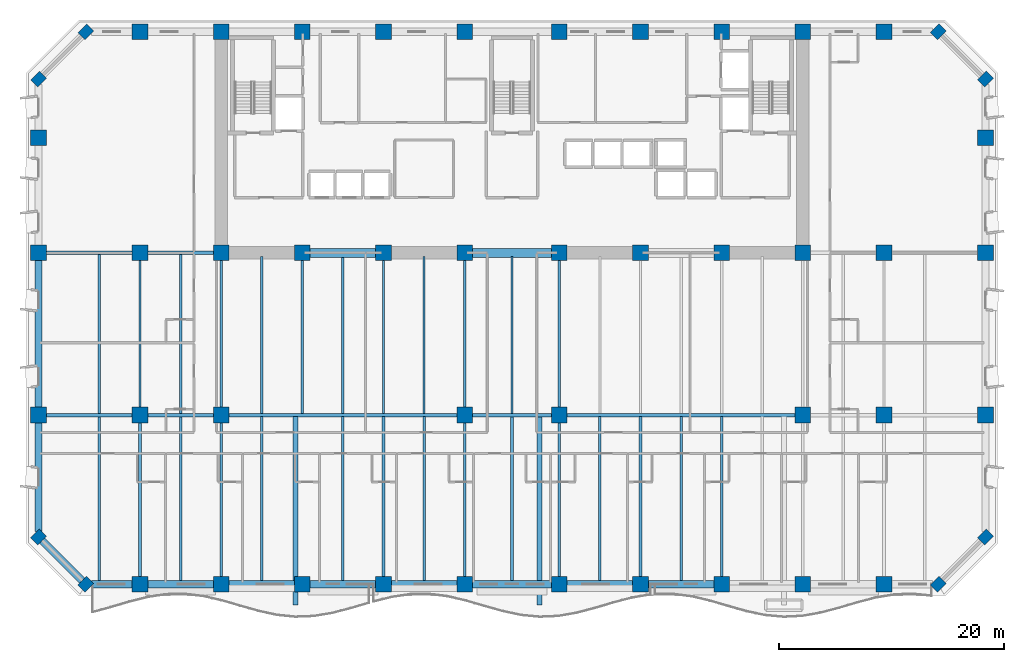
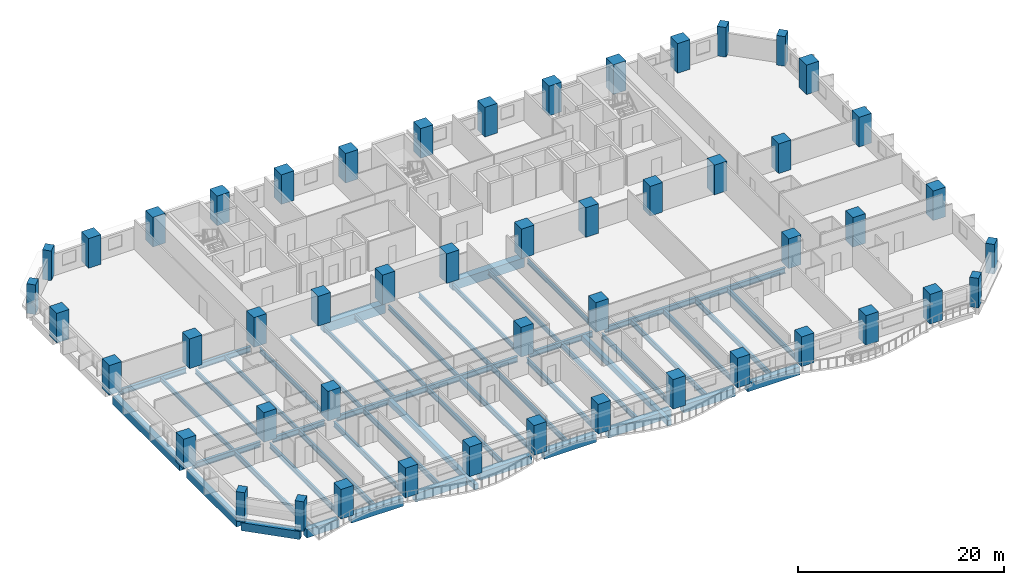
# One storey, part 1 of 15: 50 columns, 49 beams.
"""IFC4 building model written with IfcOpenShell, lengths in metres."""

from ifc_helpers import new_model, si_unit, direction, frame, origin, origin_2d, place, context, subcontext, project, spatial, rectangle, i_section, extrude, material, material_profile, profile_set, type_object, element, save


model = new_model("IFC4")

# Units and contexts
model_context = context("Model", 3, precision=1e-05, world=origin(), true_north=direction((0.0, 1.0)))
body_context = subcontext(model_context, "Body", "Model", "MODEL_VIEW")
ifc_project = project(units=[si_unit("LENGTHUNIT", "METRE"), si_unit("AREAUNIT", "SQUARE_METRE"), si_unit("VOLUMEUNIT", "CUBIC_METRE"), si_unit("PLANEANGLEUNIT", "RADIAN"), si_unit("MASSUNIT", "GRAM", prefix="KILO")], contexts=[model_context])

# Site, building, storey
site_placement = place(None, origin())
site = spatial("IfcSite", under=ifc_project, at=site_placement, CompositionType="ELEMENT")
building_placement = place(site_placement, origin())
building = spatial("IfcBuilding", under=site, at=building_placement, Name="Kaelvorn Grand Hotel", CompositionType="ELEMENT")
storey_placement = place(building_placement, frame((0.0, 0.0, 50.14990234375)))
storey = spatial("IfcBuildingStorey", under=building, at=storey_placement, Name="L10", CompositionType="ELEMENT", Elevation=50.14990234375)

# Columns
ifc_material_1 = material(Name="Concrete C80/95", Category="concrete")
ifc_material_profile_1 = material_profile(ifc_material_1, rectangle(XDim=1.10009765625, YDim=0.89990234375, at=origin_2d()), Name="RC PILASTER 1100x900")
ifc_profile_set_1 = profile_set([ifc_material_profile_1], Name="Concrete C80/95")
column_type_1 = type_object("IfcColumnType", Name="COL-PIL-1100x900-C80", PredefinedType="PILASTER", material=ifc_profile_set_1)
for number, where, z_axis, x_axis, name in (
    (1, (4.199951171875, 0.0, 0.0), (0.0, 0.0, 1.0), (0.707106781187, 0.707106781187, 0.0), "L10 Structural Column CH-01"),
    (2, (79.800048828125, 0.0, 0.0), (0.0, 0.0, 1.0), (0.707106781187, 0.707106781187, 0.0), "L10 Structural Column CH-02"),
    (3, (84.0, 4.199951171875, 0.0), (0.0, 0.0, 1.0), (0.707106781187, 0.707106781187, 0.0), "L10 Structural Column CH-03"),
    (4, (84.0, 44.800048828125, 0.0), (0.0, 0.0, 1.0), (0.707106781187, 0.707106781187, 0.0), "L10 Structural Column CH-04"),
    (5, (79.800048828125, 49.0, 0.0), (0.0, 0.0, 1.0), (0.707106781187, 0.707106781187, 0.0), "L10 Structural Column CH-05"),
    (6, (4.199951171875, 49.0, 0.0), (0.0, 0.0, 1.0), (0.707106781187, 0.707106781187, 0.0), "L10 Structural Column CH-06"),
    (7, (0.0, 44.800048828125, 0.0), (0.0, 0.0, 1.0), (0.707106781187, 0.707106781187, 0.0), "L10 Structural Column CH-07"),
    (8, (0.0, 4.199951171875, 0.0), (0.0, 0.0, 1.0), (0.707106781187, 0.707106781187, 0.0), "L10 Structural Column CH-08"),
):
    element("IfcColumn", number, at=place(storey_placement, frame(where, z_axis=z_axis, x_axis=x_axis)), inside=storey, type_object=column_type_1, Name=name, PredefinedType="PILASTER", context=body_context, shape_type="SweptSolid", body=[
        extrude(rectangle(XDim=1.10009765625, YDim=0.89990234375, at=origin_2d()), origin(), (0.0, 0.0, 1.0), 3.510009765625),
    ])
ifc_material_profile_2 = material_profile(ifc_material_1, rectangle(XDim=1.39990234375, YDim=1.39990234375, at=origin_2d()), Name="RC COL 1400x1400")
ifc_profile_set_2 = profile_set([ifc_material_profile_2], Name="Concrete C80/95")
column_type_2 = type_object("IfcColumnType", Name="COL-RC-1400-C80", PredefinedType="COLUMN", material=ifc_profile_set_2)
for number, where, z_axis, x_axis, name in (
    (9, (9.0, 0.0, 0.0), (0.0, 0.0, 1.0), (1.0, 0.0, 0.0), "L10 Structural Column S-01"),
    (10, (16.199951171875, 0.0, 0.0), (0.0, 0.0, 1.0), (1.0, 0.0, 0.0), "L10 Structural Column S-02"),
    (11, (23.39990234375, 0.0, 0.0), (0.0, 0.0, 1.0), (1.0, 0.0, 0.0), "L10 Structural Column S-03"),
    (12, (30.60009765625, 0.0, 0.0), (0.0, 0.0, 1.0), (1.0, 0.0, 0.0), "L10 Structural Column S-04"),
    (13, (37.800048828125, 0.0, 0.0), (0.0, 0.0, 1.0), (1.0, 0.0, 0.0), "L10 Structural Column S-05"),
    (14, (46.199951171875, 0.0, 0.0), (0.0, 0.0, 1.0), (1.0, 0.0, 0.0), "L10 Structural Column S-06"),
    (15, (53.39990234375, 0.0, 0.0), (0.0, 0.0, 1.0), (1.0, 0.0, 0.0), "L10 Structural Column S-07"),
    (16, (60.60009765625, 0.0, 0.0), (0.0, 0.0, 1.0), (1.0, 0.0, 0.0), "L10 Structural Column S-08"),
    (17, (67.800048828125, 0.0, 0.0), (0.0, 0.0, 1.0), (1.0, 0.0, 0.0), "L10 Structural Column S-09"),
    (18, (75.0, 0.0, 0.0), (0.0, 0.0, 1.0), (1.0, 0.0, 0.0), "L10 Structural Column S-10"),
    (19, (0.0, 15.0, 0.0), (0.0, 0.0, 1.0), (1.0, 0.0, 0.0), "L10 Structural Column W-01"),
    (20, (84.0, 15.0, 0.0), (0.0, 0.0, 1.0), (1.0, 0.0, 0.0), "L10 Structural Column E-01"),
    (21, (0.0, 29.39990234375, 0.0), (0.0, 0.0, 1.0), (1.0, 0.0, 0.0), "L10 Structural Column W-02"),
    (22, (84.0, 29.39990234375, 0.0), (0.0, 0.0, 1.0), (1.0, 0.0, 0.0), "L10 Structural Column E-02"),
    (23, (0.0, 39.60009765625, 0.0), (0.0, 0.0, 1.0), (1.0, 0.0, 0.0), "L10 Structural Column W-03"),
    (24, (84.0, 39.60009765625, 0.0), (0.0, 0.0, 1.0), (1.0, 0.0, 0.0), "L10 Structural Column E-03"),
    (25, (9.0, 15.0, 0.0), (0.0, 0.0, 1.0), (1.0, 0.0, 0.0), "L10 Structural Column M-01"),
    (26, (16.199951171875, 15.0, 0.0), (0.0, 0.0, 1.0), (1.0, 0.0, 0.0), "L10 Structural Column M-02"),
    (27, (37.800048828125, 15.0, 0.0), (0.0, 0.0, 1.0), (1.0, 0.0, 0.0), "L10 Structural Column M-03"),
    (28, (46.199951171875, 15.0, 0.0), (0.0, 0.0, 1.0), (1.0, 0.0, 0.0), "L10 Structural Column M-04"),
    (29, (67.800048828125, 15.0, 0.0), (0.0, 0.0, 1.0), (1.0, 0.0, 0.0), "L10 Structural Column M-05"),
    (30, (75.0, 15.0, 0.0), (0.0, 0.0, 1.0), (1.0, 0.0, 0.0), "L10 Structural Column M-06"),
    (31, (9.0, 29.39990234375, 0.0), (0.0, 0.0, 1.0), (1.0, 0.0, 0.0), "L10 Structural Column CR1-01"),
    (32, (9.0, 49.0, 0.0), (0.0, 0.0, 1.0), (1.0, 0.0, 0.0), "L10 Structural Column CR2-01"),
    (33, (16.199951171875, 29.39990234375, 0.0), (0.0, 0.0, 1.0), (1.0, 0.0, 0.0), "L10 Structural Column CR1-02"),
    (34, (16.199951171875, 49.0, 0.0), (0.0, 0.0, 1.0), (1.0, 0.0, 0.0), "L10 Structural Column CR2-02"),
    (35, (23.39990234375, 29.39990234375, 0.0), (0.0, 0.0, 1.0), (1.0, 0.0, 0.0), "L10 Structural Column CR1-03"),
    (36, (23.39990234375, 49.0, 0.0), (0.0, 0.0, 1.0), (1.0, 0.0, 0.0), "L10 Structural Column CR2-03"),
    (37, (30.60009765625, 29.39990234375, 0.0), (0.0, 0.0, 1.0), (1.0, 0.0, 0.0), "L10 Structural Column CR1-04"),
    (38, (30.60009765625, 49.0, 0.0), (0.0, 0.0, 1.0), (1.0, 0.0, 0.0), "L10 Structural Column CR2-04"),
    (39, (37.800048828125, 29.39990234375, 0.0), (0.0, 0.0, 1.0), (1.0, 0.0, 0.0), "L10 Structural Column CR1-05"),
    (40, (37.800048828125, 49.0, 0.0), (0.0, 0.0, 1.0), (1.0, 0.0, 0.0), "L10 Structural Column CR2-05"),
    (41, (46.199951171875, 29.39990234375, 0.0), (0.0, 0.0, 1.0), (1.0, 0.0, 0.0), "L10 Structural Column CR1-06"),
    (42, (46.199951171875, 49.0, 0.0), (0.0, 0.0, 1.0), (1.0, 0.0, 0.0), "L10 Structural Column CR2-06"),
    (43, (53.39990234375, 29.39990234375, 0.0), (0.0, 0.0, 1.0), (1.0, 0.0, 0.0), "L10 Structural Column CR1-07"),
    (44, (53.39990234375, 49.0, 0.0), (0.0, 0.0, 1.0), (1.0, 0.0, 0.0), "L10 Structural Column CR2-07"),
    (45, (60.60009765625, 29.39990234375, 0.0), (0.0, 0.0, 1.0), (1.0, 0.0, 0.0), "L10 Structural Column CR1-08"),
    (46, (60.60009765625, 49.0, 0.0), (0.0, 0.0, 1.0), (1.0, 0.0, 0.0), "L10 Structural Column CR2-08"),
    (47, (67.800048828125, 29.39990234375, 0.0), (0.0, 0.0, 1.0), (1.0, 0.0, 0.0), "L10 Structural Column CR1-09"),
    (48, (67.800048828125, 49.0, 0.0), (0.0, 0.0, 1.0), (1.0, 0.0, 0.0), "L10 Structural Column CR2-09"),
    (49, (75.0, 29.39990234375, 0.0), (0.0, 0.0, 1.0), (1.0, 0.0, 0.0), "L10 Structural Column CR1-10"),
    (50, (75.0, 49.0, 0.0), (0.0, 0.0, 1.0), (1.0, 0.0, 0.0), "L10 Structural Column CR2-10"),
):
    element("IfcColumn", number, at=place(storey_placement, frame(where, z_axis=z_axis, x_axis=x_axis)), inside=storey, type_object=column_type_2, Name=name, PredefinedType="COLUMN", context=body_context, shape_type="SweptSolid", body=[
        extrude(rectangle(XDim=1.39990234375, YDim=1.39990234375, at=origin_2d()), origin(), (0.0, 0.0, 1.0), 3.510009765625),
    ])

# Beams
ifc_material_2 = material(Name="Steel S355", Category="steel")
ifc_material_profile_3 = material_profile(ifc_material_2, i_section(OverallWidth=0.300048828125, OverallDepth=0.64990234375, WebThickness=0.01611328125, FlangeThickness=0.031005859375, FilletRadius=0.027099609375, at=origin_2d()), Name="HEB 650")
ifc_profile_set_3 = profile_set([ifc_material_profile_3], Name="Steel S355")
beam_type_1 = type_object("IfcBeamType", Name="BM-G-HEB650-S355", PredefinedType="BEAM", material=ifc_profile_set_3)
beam_1_placement = place(storey_placement, frame((0.68505859375, 15.0, -0.56494140625), z_axis=(1.0, 0.0, 0.0), x_axis=(0.0, 1.0, 0.0)))
element("IfcBeam", 51, at=beam_1_placement, inside=storey, type_object=beam_type_1, Name="L10 Primary Spine Steel Girder G-15 01", PredefinedType="BEAM", context=body_context, shape_type="SweptSolid", body=[
    extrude(i_section(OverallWidth=0.300048828125, OverallDepth=0.64990234375, WebThickness=0.01611328125, FlangeThickness=0.031005859375, FilletRadius=0.027099609375, at=origin_2d()), origin(), (0.0, 0.0, 1.0), 7.6298828125),
])
beam_2_placement = place(storey_placement, frame((9.68505859375, 15.0, -0.56494140625), z_axis=(1.0, 0.0, 0.0), x_axis=(0.0, 1.0, 0.0)))
element("IfcBeam", 52, at=beam_2_placement, inside=storey, type_object=beam_type_1, Name="L10 Primary Spine Steel Girder G-15 02", PredefinedType="BEAM", context=body_context, shape_type="SweptSolid", body=[
    extrude(i_section(OverallWidth=0.300048828125, OverallDepth=0.64990234375, WebThickness=0.01611328125, FlangeThickness=0.031005859375, FilletRadius=0.027099609375, at=origin_2d()), origin(), (0.0, 0.0, 1.0), 5.829833984375),
])
beam_3_placement = place(storey_placement, frame((16.885009765625, 15.0, -0.56494140625), z_axis=(1.0, 0.0, 0.0), x_axis=(0.0, 1.0, 0.0)))
element("IfcBeam", 53, at=beam_3_placement, inside=storey, type_object=beam_type_1, Name="L10 Primary Spine Steel Girder G-15 03", PredefinedType="BEAM", context=body_context, shape_type="SweptSolid", body=[
    extrude(i_section(OverallWidth=0.300048828125, OverallDepth=0.64990234375, WebThickness=0.01611328125, FlangeThickness=0.031005859375, FilletRadius=0.027099609375, at=origin_2d()), origin(), (0.0, 0.0, 1.0), 20.22998046875),
])
beam_4_placement = place(storey_placement, frame((38.485107421875, 15.0, -0.56494140625), z_axis=(1.0, 0.0, 0.0), x_axis=(0.0, 1.0, 0.0)))
element("IfcBeam", 54, at=beam_4_placement, inside=storey, type_object=beam_type_1, Name="L10 Primary Spine Steel Girder G-15 04", PredefinedType="BEAM", context=body_context, shape_type="SweptSolid", body=[
    extrude(i_section(OverallWidth=0.300048828125, OverallDepth=0.64990234375, WebThickness=0.01611328125, FlangeThickness=0.031005859375, FilletRadius=0.027099609375, at=origin_2d()), origin(), (0.0, 0.0, 1.0), 7.02978515625),
])
beam_5_placement = place(storey_placement, frame((46.885009765625, 15.0, -0.56494140625), z_axis=(1.0, 0.0, 0.0), x_axis=(0.0, 1.0, 0.0)))
element("IfcBeam", 55, at=beam_5_placement, inside=storey, type_object=beam_type_1, Name="L10 Primary Spine Steel Girder G-15 05", PredefinedType="BEAM", context=body_context, shape_type="SweptSolid", body=[
    extrude(i_section(OverallWidth=0.300048828125, OverallDepth=0.64990234375, WebThickness=0.01611328125, FlangeThickness=0.031005859375, FilletRadius=0.027099609375, at=origin_2d()), origin(), (0.0, 0.0, 1.0), 20.22998046875),
])
beam_6_placement = place(storey_placement, frame((0.68505859375, 29.39990234375, -0.56494140625), z_axis=(1.0, 0.0, 0.0), x_axis=(0.0, 1.0, 0.0)))
element("IfcBeam", 56, at=beam_6_placement, inside=storey, type_object=beam_type_1, Name="L10 West Core Wing Steel Girder G-29W 01", PredefinedType="BEAM", context=body_context, shape_type="SweptSolid", body=[
    extrude(i_section(OverallWidth=0.300048828125, OverallDepth=0.64990234375, WebThickness=0.01611328125, FlangeThickness=0.031005859375, FilletRadius=0.027099609375, at=origin_2d()), origin(), (0.0, 0.0, 1.0), 7.6298828125),
])
beam_7_placement = place(storey_placement, frame((9.68505859375, 29.39990234375, -0.56494140625), z_axis=(1.0, 0.0, 0.0), x_axis=(0.0, 1.0, 0.0)))
element("IfcBeam", 57, at=beam_7_placement, inside=storey, type_object=beam_type_1, Name="L10 West Core Wing Steel Girder G-29W 02", PredefinedType="BEAM", context=body_context, shape_type="SweptSolid", body=[
    extrude(i_section(OverallWidth=0.300048828125, OverallDepth=0.64990234375, WebThickness=0.01611328125, FlangeThickness=0.031005859375, FilletRadius=0.027099609375, at=origin_2d()), origin(), (0.0, 0.0, 1.0), 5.829833984375),
])
ifc_material_profile_4 = material_profile(ifc_material_2, i_section(OverallWidth=0.209228515625, OverallDepth=0.533203125, WebThickness=0.010009765625, FlangeThickness=0.015625, FilletRadius=0.0126953125, at=origin_2d()), Name="UB 533x210x92")
ifc_profile_set_4 = profile_set([ifc_material_profile_4], Name="Steel S355")
beam_type_2 = type_object("IfcBeamType", Name="BM-J-UB533-S355", PredefinedType="JOIST", material=ifc_profile_set_4)
beam_8_placement = place(storey_placement, frame((5.39990234375, 15.135009765625, -0.50634765625), z_axis=(0.0, 1.0, 0.0), x_axis=(-1.0, 0.0, 0.0)))
element("IfcBeam", 58, at=beam_8_placement, inside=storey, type_object=beam_type_2, Name="L10 Composite Floor Joist JM-02", PredefinedType="JOIST", context=body_context, shape_type="SweptSolid", body=[
    extrude(i_section(OverallWidth=0.209228515625, OverallDepth=0.533203125, WebThickness=0.010009765625, FlangeThickness=0.015625, FilletRadius=0.0126953125, at=origin_2d()), origin(), (0.0, 0.0, 1.0), 14.1298828125),
])
beam_9_placement = place(storey_placement, frame((9.0, 15.68505859375, -0.50634765625), z_axis=(0.0, 1.0, 0.0), x_axis=(-1.0, 0.0, 0.0)))
element("IfcBeam", 59, at=beam_9_placement, inside=storey, type_object=beam_type_2, Name="L10 Composite Floor Joist JM-03", PredefinedType="JOIST", context=body_context, shape_type="SweptSolid", body=[
    extrude(i_section(OverallWidth=0.209228515625, OverallDepth=0.533203125, WebThickness=0.010009765625, FlangeThickness=0.015625, FilletRadius=0.0126953125, at=origin_2d()), origin(), (0.0, 0.0, 1.0), 13.030029296875),
])
beam_10_placement = place(storey_placement, frame((12.60009765625, 15.135009765625, -0.50634765625), z_axis=(0.0, 1.0, 0.0), x_axis=(-1.0, 0.0, 0.0)))
element("IfcBeam", 60, at=beam_10_placement, inside=storey, type_object=beam_type_2, Name="L10 Composite Floor Joist JM-04", PredefinedType="JOIST", context=body_context, shape_type="SweptSolid", body=[
    extrude(i_section(OverallWidth=0.209228515625, OverallDepth=0.533203125, WebThickness=0.010009765625, FlangeThickness=0.015625, FilletRadius=0.0126953125, at=origin_2d()), origin(), (0.0, 0.0, 1.0), 14.1298828125),
])
beam_11_placement = place(storey_placement, frame((16.199951171875, 15.68505859375, -0.50634765625), z_axis=(0.0, 1.0, 0.0), x_axis=(-1.0, 0.0, 0.0)))
element("IfcBeam", 61, at=beam_11_placement, inside=storey, type_object=beam_type_2, Name="L10 Composite Floor Joist JM-05", PredefinedType="JOIST", context=body_context, shape_type="SweptSolid", body=[
    extrude(i_section(OverallWidth=0.209228515625, OverallDepth=0.533203125, WebThickness=0.010009765625, FlangeThickness=0.015625, FilletRadius=0.0126953125, at=origin_2d()), origin(), (0.0, 0.0, 1.0), 13.030029296875),
])
beam_12_placement = place(storey_placement, frame((19.800048828125, 15.135009765625, -0.50634765625), z_axis=(0.0, 1.0, 0.0), x_axis=(-1.0, 0.0, 0.0)))
element("IfcBeam", 62, at=beam_12_placement, inside=storey, type_object=beam_type_2, Name="L10 Composite Floor Joist JM-06", PredefinedType="JOIST", context=body_context, shape_type="SweptSolid", body=[
    extrude(i_section(OverallWidth=0.209228515625, OverallDepth=0.533203125, WebThickness=0.010009765625, FlangeThickness=0.015625, FilletRadius=0.0126953125, at=origin_2d()), origin(), (0.0, 0.0, 1.0), 13.925048828125),
])
beam_13_placement = place(storey_placement, frame((23.39990234375, 15.135009765625, -0.50634765625), z_axis=(0.0, 1.0, 0.0), x_axis=(-1.0, 0.0, 0.0)))
element("IfcBeam", 63, at=beam_13_placement, inside=storey, type_object=beam_type_2, Name="L10 Composite Floor Joist JM-07", PredefinedType="JOIST", context=body_context, shape_type="SweptSolid", body=[
    extrude(i_section(OverallWidth=0.209228515625, OverallDepth=0.533203125, WebThickness=0.010009765625, FlangeThickness=0.015625, FilletRadius=0.0126953125, at=origin_2d()), origin(), (0.0, 0.0, 1.0), 13.580078125),
])
beam_14_placement = place(storey_placement, frame((27.0, 15.135009765625, -0.50634765625), z_axis=(0.0, 1.0, 0.0), x_axis=(-1.0, 0.0, 0.0)))
element("IfcBeam", 64, at=beam_14_placement, inside=storey, type_object=beam_type_2, Name="L10 Composite Floor Joist JM-08", PredefinedType="JOIST", context=body_context, shape_type="SweptSolid", body=[
    extrude(i_section(OverallWidth=0.209228515625, OverallDepth=0.533203125, WebThickness=0.010009765625, FlangeThickness=0.015625, FilletRadius=0.0126953125, at=origin_2d()), origin(), (0.0, 0.0, 1.0), 13.925048828125),
])
beam_15_placement = place(storey_placement, frame((30.60009765625, 15.135009765625, -0.50634765625), z_axis=(0.0, 1.0, 0.0), x_axis=(-1.0, 0.0, 0.0)))
element("IfcBeam", 65, at=beam_15_placement, inside=storey, type_object=beam_type_2, Name="L10 Composite Floor Joist JM-09", PredefinedType="JOIST", context=body_context, shape_type="SweptSolid", body=[
    extrude(i_section(OverallWidth=0.209228515625, OverallDepth=0.533203125, WebThickness=0.010009765625, FlangeThickness=0.015625, FilletRadius=0.0126953125, at=origin_2d()), origin(), (0.0, 0.0, 1.0), 13.580078125),
])
beam_16_placement = place(storey_placement, frame((34.199951171875, 15.135009765625, -0.50634765625), z_axis=(0.0, 1.0, 0.0), x_axis=(-1.0, 0.0, 0.0)))
element("IfcBeam", 66, at=beam_16_placement, inside=storey, type_object=beam_type_2, Name="L10 Composite Floor Joist JM-10", PredefinedType="JOIST", context=body_context, shape_type="SweptSolid", body=[
    extrude(i_section(OverallWidth=0.209228515625, OverallDepth=0.533203125, WebThickness=0.010009765625, FlangeThickness=0.015625, FilletRadius=0.0126953125, at=origin_2d()), origin(), (0.0, 0.0, 1.0), 13.925048828125),
])
beam_17_placement = place(storey_placement, frame((37.800048828125, 15.68505859375, -0.50634765625), z_axis=(0.0, 1.0, 0.0), x_axis=(-1.0, 0.0, 0.0)))
element("IfcBeam", 67, at=beam_17_placement, inside=storey, type_object=beam_type_2, Name="L10 Composite Floor Joist JM-11", PredefinedType="JOIST", context=body_context, shape_type="SweptSolid", body=[
    extrude(i_section(OverallWidth=0.209228515625, OverallDepth=0.533203125, WebThickness=0.010009765625, FlangeThickness=0.015625, FilletRadius=0.0126953125, at=origin_2d()), origin(), (0.0, 0.0, 1.0), 13.030029296875),
])
beam_18_placement = place(storey_placement, frame((42.0, 15.135009765625, -0.50634765625), z_axis=(0.0, 1.0, 0.0), x_axis=(-1.0, 0.0, 0.0)))
element("IfcBeam", 68, at=beam_18_placement, inside=storey, type_object=beam_type_2, Name="L10 Composite Floor Joist JM-12", PredefinedType="JOIST", context=body_context, shape_type="SweptSolid", body=[
    extrude(i_section(OverallWidth=0.209228515625, OverallDepth=0.533203125, WebThickness=0.010009765625, FlangeThickness=0.015625, FilletRadius=0.0126953125, at=origin_2d()), origin(), (0.0, 0.0, 1.0), 13.925048828125),
])
beam_19_placement = place(storey_placement, frame((46.199951171875, 15.68505859375, -0.50634765625), z_axis=(0.0, 1.0, 0.0), x_axis=(-1.0, 0.0, 0.0)))
element("IfcBeam", 69, at=beam_19_placement, inside=storey, type_object=beam_type_2, Name="L10 Composite Floor Joist JM-13", PredefinedType="JOIST", context=body_context, shape_type="SweptSolid", body=[
    extrude(i_section(OverallWidth=0.209228515625, OverallDepth=0.533203125, WebThickness=0.010009765625, FlangeThickness=0.015625, FilletRadius=0.0126953125, at=origin_2d()), origin(), (0.0, 0.0, 1.0), 13.030029296875),
])
ifc_material_profile_5 = material_profile(ifc_material_2, i_section(OverallWidth=0.22900390625, OverallDepth=0.6123046875, WebThickness=0.011962890625, FlangeThickness=0.01953125, FilletRadius=0.0126953125, at=origin_2d()), Name="UB 610x229x125")
ifc_profile_set_5 = profile_set([ifc_material_profile_5], Name="Steel S355")
beam_type_3 = type_object("IfcBeamType", Name="BM-J-UB610-S355", PredefinedType="JOIST", material=ifc_profile_set_5)
beam_20_placement = place(storey_placement, frame((5.39990234375, 0.31005859375, -0.5458984375), z_axis=(0.0, 1.0, 0.0), x_axis=(-1.0, 0.0, 0.0)))
element("IfcBeam", 70, at=beam_20_placement, inside=storey, type_object=beam_type_3, Name="L10 Composite Floor Joist JS-02", PredefinedType="JOIST", context=body_context, shape_type="SweptSolid", body=[
    extrude(i_section(OverallWidth=0.22900390625, OverallDepth=0.6123046875, WebThickness=0.011962890625, FlangeThickness=0.01953125, FilletRadius=0.0126953125, at=origin_2d()), origin(), (0.0, 0.0, 1.0), 14.554931640625),
])
beam_21_placement = place(storey_placement, frame((9.0, 0.68505859375, -0.5458984375), z_axis=(0.0, 1.0, 0.0), x_axis=(-1.0, 0.0, 0.0)))
element("IfcBeam", 71, at=beam_21_placement, inside=storey, type_object=beam_type_3, Name="L10 Composite Floor Joist JS-03", PredefinedType="JOIST", context=body_context, shape_type="SweptSolid", body=[
    extrude(i_section(OverallWidth=0.22900390625, OverallDepth=0.6123046875, WebThickness=0.011962890625, FlangeThickness=0.01953125, FilletRadius=0.0126953125, at=origin_2d()), origin(), (0.0, 0.0, 1.0), 13.6298828125),
])
beam_22_placement = place(storey_placement, frame((12.60009765625, 0.31005859375, -0.5458984375), z_axis=(0.0, 1.0, 0.0), x_axis=(-1.0, 0.0, 0.0)))
element("IfcBeam", 72, at=beam_22_placement, inside=storey, type_object=beam_type_3, Name="L10 Composite Floor Joist JS-04", PredefinedType="JOIST", context=body_context, shape_type="SweptSolid", body=[
    extrude(i_section(OverallWidth=0.22900390625, OverallDepth=0.6123046875, WebThickness=0.011962890625, FlangeThickness=0.01953125, FilletRadius=0.0126953125, at=origin_2d()), origin(), (0.0, 0.0, 1.0), 14.554931640625),
])
beam_23_placement = place(storey_placement, frame((16.199951171875, 0.68505859375, -0.5458984375), z_axis=(0.0, 1.0, 0.0), x_axis=(-1.0, 0.0, 0.0)))
element("IfcBeam", 73, at=beam_23_placement, inside=storey, type_object=beam_type_3, Name="L10 Composite Floor Joist JS-05", PredefinedType="JOIST", context=body_context, shape_type="SweptSolid", body=[
    extrude(i_section(OverallWidth=0.22900390625, OverallDepth=0.6123046875, WebThickness=0.011962890625, FlangeThickness=0.01953125, FilletRadius=0.0126953125, at=origin_2d()), origin(), (0.0, 0.0, 1.0), 13.6298828125),
])
for number, where, z_axis, x_axis, name in (
    (74, (19.800048828125, 0.31005859375, -0.5458984375), (0.0, 1.0, 0.0), (-1.0, 0.0, 0.0), "L10 Composite Floor Joist JS-06"),
    (75, (27.0, 0.31005859375, -0.5458984375), (0.0, 1.0, 0.0), (-1.0, 0.0, 0.0), "L10 Composite Floor Joist JS-08"),
):
    element("IfcBeam", number, at=place(storey_placement, frame(where, z_axis=z_axis, x_axis=x_axis)), inside=storey, type_object=beam_type_3, Name=name, PredefinedType="JOIST", context=body_context, shape_type="SweptSolid", body=[
        extrude(i_section(OverallWidth=0.22900390625, OverallDepth=0.6123046875, WebThickness=0.011962890625, FlangeThickness=0.01953125, FilletRadius=0.0126953125, at=origin_2d()), origin(), (0.0, 0.0, 1.0), 14.554931640625),
    ])
beam_24_placement = place(storey_placement, frame((30.60009765625, 0.68505859375, -0.5458984375), z_axis=(0.0, 1.0, 0.0), x_axis=(-1.0, 0.0, 0.0)))
element("IfcBeam", 76, at=beam_24_placement, inside=storey, type_object=beam_type_3, Name="L10 Composite Floor Joist JS-09", PredefinedType="JOIST", context=body_context, shape_type="SweptSolid", body=[
    extrude(i_section(OverallWidth=0.22900390625, OverallDepth=0.6123046875, WebThickness=0.011962890625, FlangeThickness=0.01953125, FilletRadius=0.0126953125, at=origin_2d()), origin(), (0.0, 0.0, 1.0), 14.179931640625),
])
beam_25_placement = place(storey_placement, frame((34.199951171875, 0.31005859375, -0.5458984375), z_axis=(0.0, 1.0, 0.0), x_axis=(-1.0, 0.0, 0.0)))
element("IfcBeam", 77, at=beam_25_placement, inside=storey, type_object=beam_type_3, Name="L10 Composite Floor Joist JS-10", PredefinedType="JOIST", context=body_context, shape_type="SweptSolid", body=[
    extrude(i_section(OverallWidth=0.22900390625, OverallDepth=0.6123046875, WebThickness=0.011962890625, FlangeThickness=0.01953125, FilletRadius=0.0126953125, at=origin_2d()), origin(), (0.0, 0.0, 1.0), 14.554931640625),
])
beam_26_placement = place(storey_placement, frame((37.800048828125, 0.68505859375, -0.5458984375), z_axis=(0.0, 1.0, 0.0), x_axis=(-1.0, 0.0, 0.0)))
element("IfcBeam", 78, at=beam_26_placement, inside=storey, type_object=beam_type_3, Name="L10 Composite Floor Joist JS-11", PredefinedType="JOIST", context=body_context, shape_type="SweptSolid", body=[
    extrude(i_section(OverallWidth=0.22900390625, OverallDepth=0.6123046875, WebThickness=0.011962890625, FlangeThickness=0.01953125, FilletRadius=0.0126953125, at=origin_2d()), origin(), (0.0, 0.0, 1.0), 13.6298828125),
])
beam_27_placement = place(storey_placement, frame((42.0, 0.31005859375, -0.5458984375), z_axis=(0.0, 1.0, 0.0), x_axis=(-1.0, 0.0, 0.0)))
element("IfcBeam", 79, at=beam_27_placement, inside=storey, type_object=beam_type_3, Name="L10 Composite Floor Joist JS-12", PredefinedType="JOIST", context=body_context, shape_type="SweptSolid", body=[
    extrude(i_section(OverallWidth=0.22900390625, OverallDepth=0.6123046875, WebThickness=0.011962890625, FlangeThickness=0.01953125, FilletRadius=0.0126953125, at=origin_2d()), origin(), (0.0, 0.0, 1.0), 14.554931640625),
])
beam_28_placement = place(storey_placement, frame((46.199951171875, 0.68505859375, -0.5458984375), z_axis=(0.0, 1.0, 0.0), x_axis=(-1.0, 0.0, 0.0)))
element("IfcBeam", 80, at=beam_28_placement, inside=storey, type_object=beam_type_3, Name="L10 Composite Floor Joist JS-13", PredefinedType="JOIST", context=body_context, shape_type="SweptSolid", body=[
    extrude(i_section(OverallWidth=0.22900390625, OverallDepth=0.6123046875, WebThickness=0.011962890625, FlangeThickness=0.01953125, FilletRadius=0.0126953125, at=origin_2d()), origin(), (0.0, 0.0, 1.0), 13.6298828125),
])
beam_29_placement = place(storey_placement, frame((49.800048828125, 0.31005859375, -0.5458984375), z_axis=(0.0, 1.0, 0.0), x_axis=(-1.0, 0.0, 0.0)))
element("IfcBeam", 81, at=beam_29_placement, inside=storey, type_object=beam_type_3, Name="L10 Composite Floor Joist JS-14", PredefinedType="JOIST", context=body_context, shape_type="SweptSolid", body=[
    extrude(i_section(OverallWidth=0.22900390625, OverallDepth=0.6123046875, WebThickness=0.011962890625, FlangeThickness=0.01953125, FilletRadius=0.0126953125, at=origin_2d()), origin(), (0.0, 0.0, 1.0), 14.554931640625),
])
beam_30_placement = place(storey_placement, frame((53.39990234375, 0.68505859375, -0.5458984375), z_axis=(0.0, 1.0, 0.0), x_axis=(-1.0, 0.0, 0.0)))
element("IfcBeam", 82, at=beam_30_placement, inside=storey, type_object=beam_type_3, Name="L10 Composite Floor Joist JS-15", PredefinedType="JOIST", context=body_context, shape_type="SweptSolid", body=[
    extrude(i_section(OverallWidth=0.22900390625, OverallDepth=0.6123046875, WebThickness=0.011962890625, FlangeThickness=0.01953125, FilletRadius=0.0126953125, at=origin_2d()), origin(), (0.0, 0.0, 1.0), 14.179931640625),
])
beam_31_placement = place(storey_placement, frame((57.0, 0.31005859375, -0.5458984375), z_axis=(0.0, 1.0, 0.0), x_axis=(-1.0, 0.0, 0.0)))
element("IfcBeam", 83, at=beam_31_placement, inside=storey, type_object=beam_type_3, Name="L10 Composite Floor Joist JS-16", PredefinedType="JOIST", context=body_context, shape_type="SweptSolid", body=[
    extrude(i_section(OverallWidth=0.22900390625, OverallDepth=0.6123046875, WebThickness=0.011962890625, FlangeThickness=0.01953125, FilletRadius=0.0126953125, at=origin_2d()), origin(), (0.0, 0.0, 1.0), 14.554931640625),
])
beam_32_placement = place(storey_placement, frame((60.60009765625, 0.68505859375, -0.5458984375), z_axis=(0.0, 1.0, 0.0), x_axis=(-1.0, 0.0, 0.0)))
element("IfcBeam", 84, at=beam_32_placement, inside=storey, type_object=beam_type_3, Name="L10 Composite Floor Joist JS-17", PredefinedType="JOIST", context=body_context, shape_type="SweptSolid", body=[
    extrude(i_section(OverallWidth=0.22900390625, OverallDepth=0.6123046875, WebThickness=0.011962890625, FlangeThickness=0.01953125, FilletRadius=0.0126953125, at=origin_2d()), origin(), (0.0, 0.0, 1.0), 14.179931640625),
])
ifc_material_3 = material(Name="Concrete C60/75", Category="concrete")
ifc_material_profile_6 = material_profile(ifc_material_3, rectangle(XDim=0.800048828125, YDim=1.10009765625, at=origin_2d()), Name="RC LINTEL 800x1100")
ifc_profile_set_6 = profile_set([ifc_material_profile_6], Name="Concrete C60/75")
beam_type_4 = type_object("IfcBeamType", Name="BM-LIN-800x1100-C60", PredefinedType="LINTEL", material=ifc_profile_set_6)
beam_33_placement = place(storey_placement, frame((23.580078125, 29.39990234375, -0.789794921875), z_axis=(1.0, 0.0, 0.0), x_axis=(0.0, 1.0, 0.0)))
element("IfcBeam", 85, at=beam_33_placement, inside=storey, type_object=beam_type_4, Name="L10 Rear-Core Coupling Lintel Beam CB1-01", PredefinedType="LINTEL", context=body_context, shape_type="SweptSolid", body=[
    extrude(rectangle(XDim=0.800048828125, YDim=1.10009765625, at=origin_2d()), origin(), (0.0, 0.0, 1.0), 6.83984375),
])
beam_34_placement = place(storey_placement, frame((37.97998046875, 29.39990234375, -0.789794921875), z_axis=(1.0, 0.0, 0.0), x_axis=(0.0, 1.0, 0.0)))
element("IfcBeam", 86, at=beam_34_placement, inside=storey, type_object=beam_type_4, Name="L10 Rear-Core Coupling Lintel Beam CB1-02", PredefinedType="LINTEL", context=body_context, shape_type="SweptSolid", body=[
    extrude(rectangle(XDim=0.800048828125, YDim=1.10009765625, at=origin_2d()), origin(), (0.0, 0.0, 1.0), 8.0400390625),
])
ifc_material_4 = material(Name="Concrete C40/50", Category="concrete")
ifc_material_profile_7 = material_profile(ifc_material_4, rectangle(XDim=0.449951171875, YDim=0.64990234375, at=origin_2d()), Name="RC RIB 450x650")
ifc_profile_set_7 = profile_set([ifc_material_profile_7], Name="Concrete C40/50")
beam_type_5 = type_object("IfcBeamType", Name="BM-RIB-450x650-C40", PredefinedType="SPANDREL", material=ifc_profile_set_7)
for number, where, z_axis, x_axis, name in (
    (87, (22.791015625, -1.85009765625, -0.544921875), (0.0, 1.0, 0.0), (-1.0, 0.0, 0.0), "L10 Cantilevered Balcony Back-Span Rib RB1-1"),
    (88, (44.453369140625, -1.85009765625, -0.544921875), (0.0, 1.0, 0.0), (-1.0, 0.0, 0.0), "L10 Cantilevered Balcony Back-Span Rib RB1-2"),
):
    element("IfcBeam", number, at=place(storey_placement, frame(where, z_axis=z_axis, x_axis=x_axis)), inside=storey, type_object=beam_type_5, Name=name, PredefinedType="SPANDREL", context=body_context, shape_type="SweptSolid", body=[
        extrude(rectangle(XDim=0.449951171875, YDim=0.64990234375, at=origin_2d()), origin(), (0.0, 0.0, 1.0), 16.715087890625),
    ])
ifc_material_profile_8 = material_profile(ifc_material_3, rectangle(XDim=0.64990234375, YDim=0.949951171875, at=origin_2d()), Name="RC SPANDREL 650x950")
ifc_profile_set_8 = profile_set([ifc_material_profile_8], Name="Concrete C60/75")
beam_type_6 = type_object("IfcBeamType", Name="BM-SP-650x950-C60", PredefinedType="SPANDREL", material=ifc_profile_set_8)
beam_35_placement = place(storey_placement, frame((4.68505859375, 0.0, -0.71484375), z_axis=(1.0, 0.0, 0.0), x_axis=(0.0, 1.0, 0.0)))
element("IfcBeam", 89, at=beam_35_placement, inside=storey, type_object=beam_type_6, Name="L10 South Perimeter Spandrel 01", PredefinedType="SPANDREL", context=body_context, shape_type="SweptSolid", body=[
    extrude(rectangle(XDim=0.64990234375, YDim=0.949951171875, at=origin_2d()), origin(), (0.0, 0.0, 1.0), 3.6298828125),
])
beam_36_placement = place(storey_placement, frame((9.68505859375, 0.0, -0.71484375), z_axis=(1.0, 0.0, 0.0), x_axis=(0.0, 1.0, 0.0)))
element("IfcBeam", 90, at=beam_36_placement, inside=storey, type_object=beam_type_6, Name="L10 South Perimeter Spandrel 02", PredefinedType="SPANDREL", context=body_context, shape_type="SweptSolid", body=[
    extrude(rectangle(XDim=0.64990234375, YDim=0.949951171875, at=origin_2d()), origin(), (0.0, 0.0, 1.0), 5.829833984375),
])
for number, where, z_axis, x_axis, name in (
    (91, (16.885009765625, 0.0, -0.71484375), (1.0, 0.0, 0.0), (0.0, 1.0, 0.0), "L10 South Perimeter Spandrel 03"),
    (92, (24.0849609375, 0.0, -0.71484375), (1.0, 0.0, 0.0), (0.0, 1.0, 0.0), "L10 South Perimeter Spandrel 04"),
    (93, (31.284912109375, 0.0, -0.71484375), (1.0, 0.0, 0.0), (0.0, 1.0, 0.0), "L10 South Perimeter Spandrel 05"),
):
    element("IfcBeam", number, at=place(storey_placement, frame(where, z_axis=z_axis, x_axis=x_axis)), inside=storey, type_object=beam_type_6, Name=name, PredefinedType="SPANDREL", context=body_context, shape_type="SweptSolid", body=[
        extrude(rectangle(XDim=0.64990234375, YDim=0.949951171875, at=origin_2d()), origin(), (0.0, 0.0, 1.0), 5.830078125),
    ])
beam_37_placement = place(storey_placement, frame((38.485107421875, 0.0, -0.71484375), z_axis=(1.0, 0.0, 0.0), x_axis=(0.0, 1.0, 0.0)))
element("IfcBeam", 94, at=beam_37_placement, inside=storey, type_object=beam_type_6, Name="L10 South Perimeter Spandrel 06", PredefinedType="SPANDREL", context=body_context, shape_type="SweptSolid", body=[
    extrude(rectangle(XDim=0.64990234375, YDim=0.949951171875, at=origin_2d()), origin(), (0.0, 0.0, 1.0), 7.02978515625),
])
for number, where, z_axis, x_axis, name in (
    (95, (46.885009765625, 0.0, -0.71484375), (1.0, 0.0, 0.0), (0.0, 1.0, 0.0), "L10 South Perimeter Spandrel 07"),
    (96, (54.0849609375, 0.0, -0.71484375), (1.0, 0.0, 0.0), (0.0, 1.0, 0.0), "L10 South Perimeter Spandrel 08"),
):
    element("IfcBeam", number, at=place(storey_placement, frame(where, z_axis=z_axis, x_axis=x_axis)), inside=storey, type_object=beam_type_6, Name=name, PredefinedType="SPANDREL", context=body_context, shape_type="SweptSolid", body=[
        extrude(rectangle(XDim=0.64990234375, YDim=0.949951171875, at=origin_2d()), origin(), (0.0, 0.0, 1.0), 5.830078125),
    ])
beam_38_placement = place(storey_placement, frame((0.0, 4.68505859375, -0.71484375), z_axis=(0.0, 1.0, 0.0), x_axis=(-1.0, 0.0, 0.0)))
element("IfcBeam", 97, at=beam_38_placement, inside=storey, type_object=beam_type_6, Name="L10 West Perimeter Spandrel 01", PredefinedType="SPANDREL", context=body_context, shape_type="SweptSolid", body=[
    extrude(rectangle(XDim=0.64990234375, YDim=0.949951171875, at=origin_2d()), origin(), (0.0, 0.0, 1.0), 9.6298828125),
])
beam_39_placement = place(storey_placement, frame((0.0, 15.68505859375, -0.71484375), z_axis=(0.0, 1.0, 0.0), x_axis=(-1.0, 0.0, 0.0)))
element("IfcBeam", 98, at=beam_39_placement, inside=storey, type_object=beam_type_6, Name="L10 West Perimeter Spandrel 02", PredefinedType="SPANDREL", context=body_context, shape_type="SweptSolid", body=[
    extrude(rectangle(XDim=0.64990234375, YDim=0.949951171875, at=origin_2d()), origin(), (0.0, 0.0, 1.0), 13.030029296875),
])
beam_40_placement = place(storey_placement, frame((0.0, 4.199951171875, -0.71484375), z_axis=(0.707106781187, -0.707106781187, 0.0), x_axis=(0.707106781187, 0.707106781187, 0.0)))
element("IfcBeam", 99, at=beam_40_placement, inside=storey, type_object=beam_type_6, Name="L10 Chamfer Spandrel Beam 4", PredefinedType="SPANDREL", context=body_context, shape_type="SweptSolid", body=[
    extrude(rectangle(XDim=0.64990234375, YDim=0.949951171875, at=origin_2d()), origin(), (0.0, 0.0, 1.0), 5.939697265625),
])

save(model, "model.ifc")
